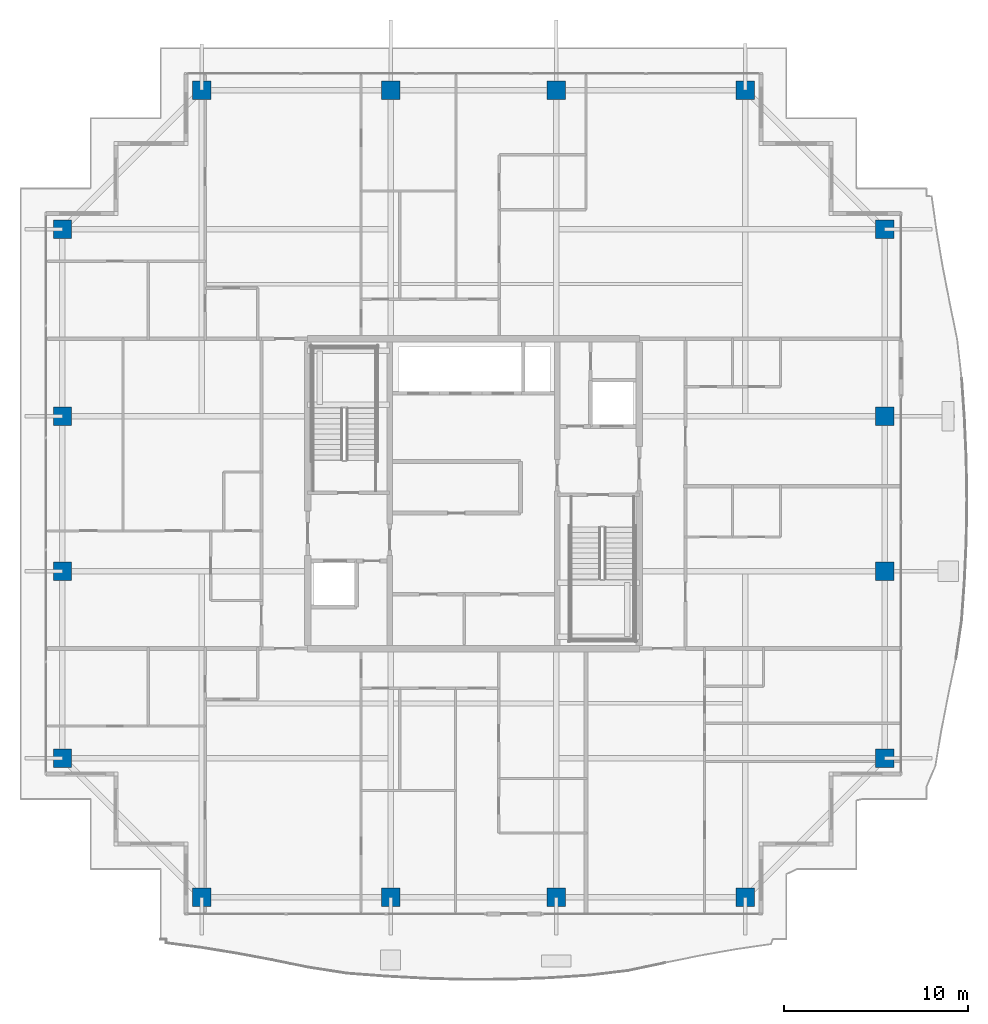
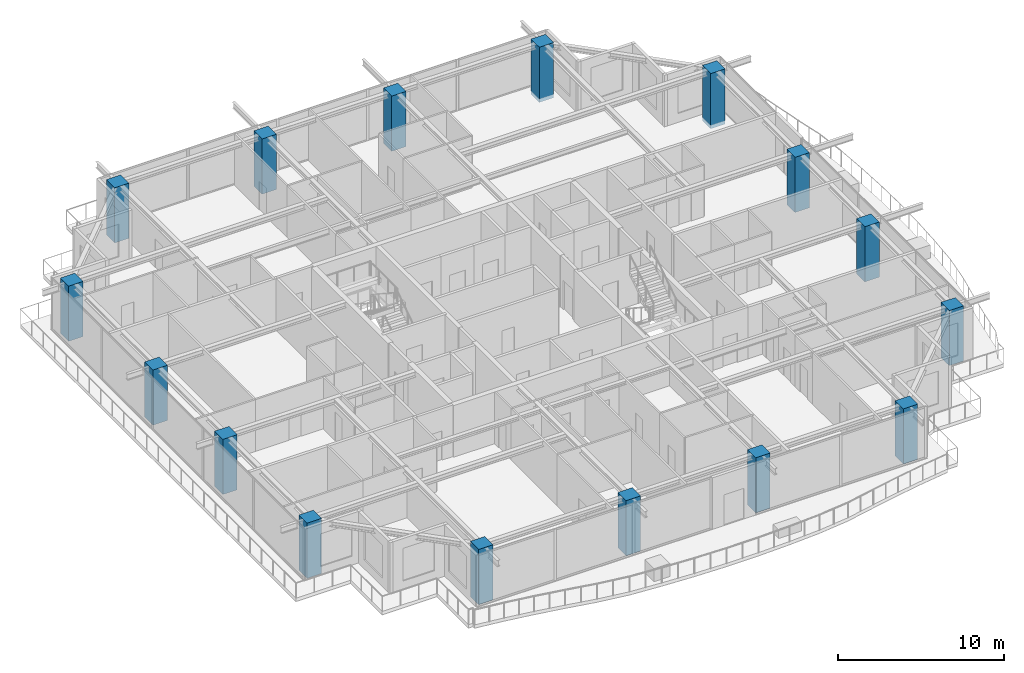
# One storey, part 1 of 42: 16 columns.
"""IFC4 building model written with IfcOpenShell, lengths in metres."""

from ifc_helpers import new_model, si_unit, direction, frame, origin, origin_2d, place, context, subcontext, project, spatial, rectangle, extrude, source, transform, mapped, material, material_profile, profile_set, type_object, element, save


model = new_model("IFC4")

# Units and contexts
model_context = context("Model", 3, precision=1e-05, world=origin(), true_north=direction((0.0, 1.0)))
body_context = subcontext(model_context, "Body", "Model", "MODEL_VIEW")
ifc_project = project(units=[si_unit("LENGTHUNIT", "METRE"), si_unit("AREAUNIT", "SQUARE_METRE"), si_unit("VOLUMEUNIT", "CUBIC_METRE"), si_unit("PLANEANGLEUNIT", "RADIAN"), si_unit("MASSUNIT", "GRAM", prefix="KILO")], contexts=[model_context])

# Site, building, storey
site_placement = place(None, origin())
site = spatial("IfcSite", under=ifc_project, at=site_placement, CompositionType="ELEMENT")
building_placement = place(site_placement, origin())
building = spatial("IfcBuilding", under=site, at=building_placement, Name="Serunith Strait Residences", CompositionType="ELEMENT")
storey_placement = place(building_placement, frame((0.0, 0.0, 309.64990234375)))
storey = spatial("IfcBuildingStorey", under=building, at=storey_placement, Name="L77", CompositionType="ELEMENT", Elevation=309.64990234375)

# Columns
ifc_material = material(Name="Concrete C70/85", Category="concrete")
ifc_material_profile = material_profile(ifc_material, rectangle(XDim=1.0, YDim=1.0, at=origin_2d()), Name="RC 1000x1000")
ifc_profile_set = profile_set([ifc_material_profile], Name="Concrete C70/85")
column_type = type_object("IfcColumnType", Name="COL-RC-1000", PredefinedType="COLUMN", material=ifc_profile_set)
shared_shape = source(origin(), body_context, "Body", "SweptSolid", [
    extrude(rectangle(XDim=1.0, YDim=1.0, at=origin_2d()), origin(), (0.0, 0.0, 1.0), 4.050048828125),
])
for number, where, z_axis, x_axis, name in (
    (1, (17.64990234375, 3.300048828125, -0.260009765625), (0.0, 0.0, 1.0), (1.0, 0.0, 0.0), "L77 Tower Mega-Column TC-S1"),
    (2, (27.89990234375, 3.300048828125, -0.260009765625), (0.0, 0.0, 1.0), (1.0, 0.0, 0.0), "L77 Tower Mega-Column TC-S2"),
    (3, (36.89990234375, 3.300048828125, -0.260009765625), (0.0, 0.0, 1.0), (1.0, 0.0, 0.0), "L77 Tower Mega-Column TC-S3"),
    (4, (47.14990234375, 3.300048828125, -0.260009765625), (0.0, 0.0, 1.0), (1.0, 0.0, 0.0), "L77 Tower Mega-Column TC-S4"),
    (5, (17.64990234375, 47.10009765625, -0.260009765625), (0.0, 0.0, 1.0), (1.0, 0.0, 0.0), "L77 Tower Mega-Column TC-N1"),
    (6, (27.89990234375, 47.10009765625, -0.260009765625), (0.0, 0.0, 1.0), (1.0, 0.0, 0.0), "L77 Tower Mega-Column TC-N2"),
    (7, (36.89990234375, 47.10009765625, -0.260009765625), (0.0, 0.0, 1.0), (1.0, 0.0, 0.0), "L77 Tower Mega-Column TC-N3"),
    (8, (47.14990234375, 47.10009765625, -0.260009765625), (0.0, 0.0, 1.0), (1.0, 0.0, 0.0), "L77 Tower Mega-Column TC-N4"),
    (9, (54.699951171875, 10.85009765625, -0.260009765625), (0.0, 0.0, 1.0), (1.0, 0.0, 0.0), "L77 Tower Mega-Column TC-E1"),
    (10, (54.699951171875, 21.0, -0.260009765625), (0.0, 0.0, 1.0), (1.0, 0.0, 0.0), "L77 Tower Mega-Column TC-E2"),
    (11, (54.699951171875, 29.39990234375, -0.260009765625), (0.0, 0.0, 1.0), (1.0, 0.0, 0.0), "L77 Tower Mega-Column TC-E3"),
    (12, (54.699951171875, 39.550048828125, -0.260009765625), (0.0, 0.0, 1.0), (1.0, 0.0, 0.0), "L77 Tower Mega-Column TC-E4"),
    (13, (10.10009765625, 10.85009765625, -0.260009765625), (0.0, 0.0, 1.0), (1.0, 0.0, 0.0), "L77 Tower Mega-Column TC-W1"),
    (14, (10.10009765625, 21.0, -0.260009765625), (0.0, 0.0, 1.0), (1.0, 0.0, 0.0), "L77 Tower Mega-Column TC-W2"),
    (15, (10.10009765625, 29.39990234375, -0.260009765625), (0.0, 0.0, 1.0), (1.0, 0.0, 0.0), "L77 Tower Mega-Column TC-W3"),
    (16, (10.10009765625, 39.550048828125, -0.260009765625), (0.0, 0.0, 1.0), (1.0, 0.0, 0.0), "L77 Tower Mega-Column TC-W4"),
):
    element("IfcColumn", number, at=place(storey_placement, frame(where, z_axis=z_axis, x_axis=x_axis)), inside=storey, type_object=column_type, Name=name, PredefinedType="COLUMN", context=body_context, shape_type="MappedRepresentation", body=[
        mapped(shared_shape, transform((0.0, 0.0, 0.0), scale=1.0)),
    ])

save(model, "model.ifc")
